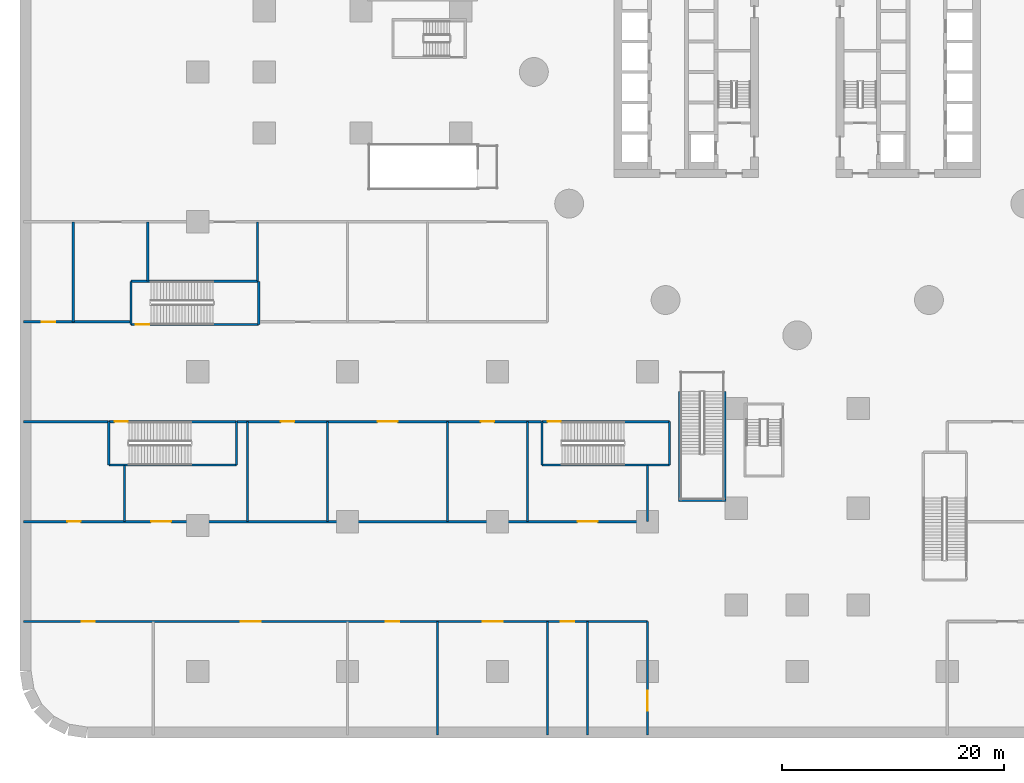
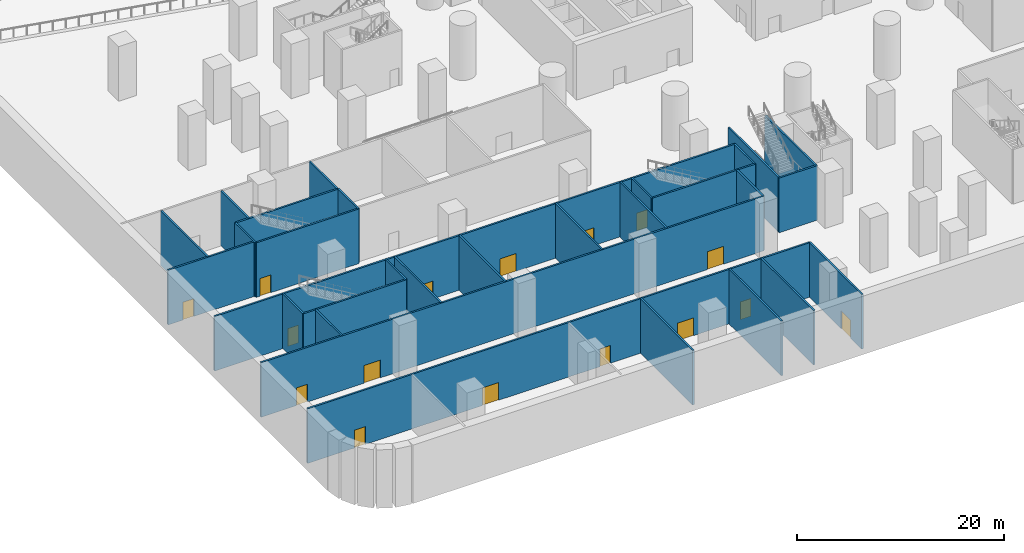
# One storey, part 3 of 37: 33 walls, 16 doors, 16 openings.
"""IFC4 building model written with IfcOpenShell, lengths in metres."""

from ifc_helpers import new_model, si_unit, direction, frame, frame_2d, origin, place, context, subcontext, project, spatial, rectangle, extrude, material, layer, layer_set, type_object, element, fill, save


model = new_model("IFC4")

# Units and contexts
model_context = context("Model", 3, precision=1e-05, world=origin(), true_north=direction((0.0, 1.0)))
body_context = subcontext(model_context, "Body", "Model", "MODEL_VIEW")
ifc_project = project(units=[si_unit("LENGTHUNIT", "METRE"), si_unit("AREAUNIT", "SQUARE_METRE"), si_unit("VOLUMEUNIT", "CUBIC_METRE"), si_unit("PLANEANGLEUNIT", "RADIAN"), si_unit("MASSUNIT", "GRAM", prefix="KILO")], contexts=[model_context])

# Site, building, storey
site_placement = place(None, origin())
site = spatial("IfcSite", under=ifc_project, at=site_placement, CompositionType="ELEMENT")
building_placement = place(site_placement, origin())
building = spatial("IfcBuilding", under=site, at=building_placement, Name="Tamarind Cross Interchange Tower", CompositionType="ELEMENT")
storey_placement = place(building_placement, frame((0.0, 0.0, -7.0)))
storey = spatial("IfcBuildingStorey", under=building, at=storey_placement, Name="B1", CompositionType="ELEMENT", Elevation=-7.0)

# Wall, openings, doors
ifc_material_1 = material(Name="Masonry partition, fire-rated", Category="masonry")
ifc_layer_1 = layer(ifc_material_1, 0.199951171875)
ifc_layer_set_1 = layer_set([ifc_layer_1], Name="Masonry partition, fire-rated")
wall_type_1 = type_object("IfcWallType", Name="Fire partition 200 EI 120", PredefinedType="PARTITIONING", material=ifc_layer_set_1)
wall_1_placement = place(storey_placement, frame((-69.698974609375, -49.5, 0.0), z_axis=(0.0, 0.0, 1.0), x_axis=(1.0, 0.0, 0.0)))
wall_1 = element("IfcWall", 1, at=wall_1_placement, inside=storey, type_object=wall_type_1, Name="B1 partition 61", PredefinedType="PARTITIONING", context=body_context, shape_type="SweptSolid", body=[
    extrude(rectangle(XDim=56.198974609375, YDim=0.199951171875, at=frame_2d((28.099609375, 0.0))), origin(), (0.0, 0.0, 1.0), 6.449951171875),
])
opening_1_placement = place(wall_1_placement, frame((48.408935546875, 0.0, 0.0)))
opening_1 = element("IfcOpeningElement", 2, at=opening_1_placement, cuts=wall_1, Name="Opening DB1-48", PredefinedType="OPENING", context=body_context, shape_type="SweptSolid", body=[
    extrude(rectangle(XDim=1.199951171875, YDim=2.10009765625, at=frame_2d((0.60009765625, 1.050048828125))), frame((0.0, 0.10986328125, 0.0), z_axis=(0.0, -1.0, 0.0), x_axis=(1.0, 0.0, 0.0)), (0.0, 0.0, 1.0), 0.219970703125),
])
opening_2_placement = place(wall_1_placement, frame((41.35888671875, 0.0, 0.0)))
opening_2 = element("IfcOpeningElement", 3, at=opening_2_placement, cuts=wall_1, Name="Opening DB1-49", PredefinedType="OPENING", context=body_context, shape_type="SweptSolid", body=[
    extrude(rectangle(XDim=1.800048828125, YDim=2.10009765625, at=frame_2d((0.89990234375, 1.050048828125))), frame((0.0, 0.10986328125, 0.0), z_axis=(0.0, -1.0, 0.0), x_axis=(1.0, 0.0, 0.0)), (0.0, 0.0, 1.0), 0.219970703125),
])
opening_3_placement = place(wall_1_placement, frame((32.658935546875, 0.0, 0.0)))
opening_3 = element("IfcOpeningElement", 4, at=opening_3_placement, cuts=wall_1, Name="Opening DB1-50", PredefinedType="OPENING", context=body_context, shape_type="SweptSolid", body=[
    extrude(rectangle(XDim=1.199951171875, YDim=2.10009765625, at=frame_2d((0.60009765625, 1.050048828125))), frame((0.0, 0.10986328125, 0.0), z_axis=(0.0, -1.0, 0.0), x_axis=(1.0, 0.0, 0.0)), (0.0, 0.0, 1.0), 0.219970703125),
])
opening_4_placement = place(wall_1_placement, frame((19.55908203125, 0.0, 0.0)))
opening_4 = element("IfcOpeningElement", 5, at=opening_4_placement, cuts=wall_1, Name="Opening DB1-51", PredefinedType="OPENING", context=body_context, shape_type="SweptSolid", body=[
    extrude(rectangle(XDim=1.800048828125, YDim=2.10009765625, at=frame_2d((0.89990234375, 1.050048828125))), frame((0.0, 0.10986328125, 0.0), z_axis=(0.0, -1.0, 0.0), x_axis=(1.0, 0.0, 0.0)), (0.0, 0.0, 1.0), 0.219970703125),
])
opening_5_placement = place(wall_1_placement, frame((5.239013671875, 0.0, 0.0)))
opening_5 = element("IfcOpeningElement", 6, at=opening_5_placement, cuts=wall_1, Name="Opening DB1-52", PredefinedType="OPENING", context=body_context, shape_type="SweptSolid", body=[
    extrude(rectangle(XDim=1.199951171875, YDim=2.10009765625, at=frame_2d((0.60009765625, 1.050048828125))), frame((0.0, 0.10986328125, 0.0), z_axis=(0.0, -1.0, 0.0), x_axis=(1.0, 0.0, 0.0)), (0.0, 0.0, 1.0), 0.219970703125),
])
ifc_material_2 = material(Name="Steel, fire-resisting", Category="steel")
door_type_1 = type_object("IfcDoorType", Name="Podium door 1200 x 2100 FD60", OperationType="SINGLE_SWING_LEFT", PredefinedType="DOOR", material=ifc_material_2)
door_1_placement = place(opening_1_placement, origin())
door_1 = element("IfcDoor", 7, at=door_1_placement, inside=storey, type_object=door_type_1, Name="B1 door Tenant Store B130", OperationType="SINGLE_SWING_RIGHT", OverallHeight=2.10009765625, OverallWidth=1.199951171875, PredefinedType="DOOR", context=body_context, shape_type="SweptSolid", body=[
    extrude(rectangle(XDim=1.199951171875, YDim=2.10009765625, at=frame_2d((0.60009765625, 1.050048828125))), frame((0.0, 0.02490234375, 0.0), z_axis=(0.0, -1.0, 0.0), x_axis=(1.0, 0.0, 0.0)), (0.0, 0.0, 1.0), 0.050048828125),
])
fill(opening_1, door_1)
door_2_placement = place(opening_3_placement, origin())
door_2 = element("IfcDoor", 8, at=door_2_placement, inside=storey, type_object=door_type_1, Name="B1 door Tenant Store B132", OperationType="SINGLE_SWING_RIGHT", OverallHeight=2.10009765625, OverallWidth=1.199951171875, PredefinedType="DOOR", context=body_context, shape_type="SweptSolid", body=[
    extrude(rectangle(XDim=1.199951171875, YDim=2.10009765625, at=frame_2d((0.60009765625, 1.050048828125))), frame((0.0, 0.02490234375, 0.0), z_axis=(0.0, -1.0, 0.0), x_axis=(1.0, 0.0, 0.0)), (0.0, 0.0, 1.0), 0.050048828125),
])
fill(opening_3, door_2)
door_3_placement = place(opening_5_placement, origin())
door_3 = element("IfcDoor", 9, at=door_3_placement, inside=storey, type_object=door_type_1, Name="B1 door Tenant Store B134", OperationType="SINGLE_SWING_RIGHT", OverallHeight=2.10009765625, OverallWidth=1.199951171875, PredefinedType="DOOR", context=body_context, shape_type="SweptSolid", body=[
    extrude(rectangle(XDim=1.199951171875, YDim=2.10009765625, at=frame_2d((0.60009765625, 1.050048828125))), frame((0.0, 0.02490234375, 0.0), z_axis=(0.0, -1.0, 0.0), x_axis=(1.0, 0.0, 0.0)), (0.0, 0.0, 1.0), 0.050048828125),
])
fill(opening_5, door_3)
door_type_2 = type_object("IfcDoorType", Name="Podium door 1800 x 2100 FD60", OperationType="SINGLE_SWING_LEFT", PredefinedType="DOOR", material=ifc_material_2)
door_4_placement = place(opening_2_placement, origin())
door_4 = element("IfcDoor", 10, at=door_4_placement, inside=storey, type_object=door_type_2, Name="B1 door Bakery B131", OperationType="SINGLE_SWING_LEFT", OverallHeight=2.10009765625, OverallWidth=1.800048828125, PredefinedType="DOOR", context=body_context, shape_type="SweptSolid", body=[
    extrude(rectangle(XDim=1.800048828125, YDim=2.10009765625, at=frame_2d((0.89990234375, 1.050048828125))), frame((0.0, 0.02490234375, 0.0), z_axis=(0.0, -1.0, 0.0), x_axis=(1.0, 0.0, 0.0)), (0.0, 0.0, 1.0), 0.050048828125),
])
fill(opening_2, door_4)
door_5_placement = place(opening_4_placement, origin())
door_5 = element("IfcDoor", 11, at=door_5_placement, inside=storey, type_object=door_type_2, Name="B1 door Phone Shop B133", OperationType="SINGLE_SWING_LEFT", OverallHeight=2.10009765625, OverallWidth=1.800048828125, PredefinedType="DOOR", context=body_context, shape_type="SweptSolid", body=[
    extrude(rectangle(XDim=1.800048828125, YDim=2.10009765625, at=frame_2d((0.89990234375, 1.050048828125))), frame((0.0, 0.02490234375, 0.0), z_axis=(0.0, -1.0, 0.0), x_axis=(1.0, 0.0, 0.0)), (0.0, 0.0, 1.0), 0.050048828125),
])
fill(opening_4, door_5)

wall_2_placement = place(storey_placement, frame((-69.698974609375, -40.5, 0.0), z_axis=(0.0, 0.0, 1.0), x_axis=(1.0, 0.0, 0.0)))
wall_2 = element("IfcWall", 12, at=wall_2_placement, inside=storey, type_object=wall_type_1, Name="B1 partition 62", PredefinedType="PARTITIONING", context=body_context, shape_type="SweptSolid", body=[
    extrude(rectangle(XDim=56.198974609375, YDim=0.199951171875, at=frame_2d((28.099609375, 0.0))), origin(), (0.0, 0.0, 1.0), 6.449951171875),
])
opening_6_placement = place(wall_2_placement, frame((49.908935546875, 0.0, 0.0)))
opening_6 = element("IfcOpeningElement", 13, at=opening_6_placement, cuts=wall_2, Name="Opening DB1-41", PredefinedType="OPENING", context=body_context, shape_type="SweptSolid", body=[
    extrude(rectangle(XDim=1.800048828125, YDim=2.10009765625, at=frame_2d((0.89990234375, 1.050048828125))), frame((0.0, 0.10986328125, 0.0), z_axis=(0.0, -1.0, 0.0), x_axis=(1.0, 0.0, 0.0)), (0.0, 0.0, 1.0), 0.219970703125),
])
opening_7_placement = place(wall_2_placement, frame((11.514892578125, 0.0, 0.0)))
opening_7 = element("IfcOpeningElement", 14, at=opening_7_placement, cuts=wall_2, Name="Opening DB1-45", PredefinedType="OPENING", context=body_context, shape_type="SweptSolid", body=[
    extrude(rectangle(XDim=1.800048828125, YDim=2.10009765625, at=frame_2d((0.89990234375, 1.050048828125))), frame((0.0, 0.10986328125, 0.0), z_axis=(0.0, -1.0, 0.0), x_axis=(1.0, 0.0, 0.0)), (0.0, 0.0, 1.0), 0.219970703125),
])
opening_8_placement = place(wall_2_placement, frame((3.958984375, 0.0, 0.0)))
opening_8 = element("IfcOpeningElement", 15, at=opening_8_placement, cuts=wall_2, Name="Opening DB1-46", PredefinedType="OPENING", context=body_context, shape_type="SweptSolid", body=[
    extrude(rectangle(XDim=1.199951171875, YDim=2.10009765625, at=frame_2d((0.60009765625, 1.050048828125))), frame((0.0, 0.10986328125, 0.0), z_axis=(0.0, -1.0, 0.0), x_axis=(1.0, 0.0, 0.0)), (0.0, 0.0, 1.0), 0.219970703125),
])
door_6_placement = place(opening_8_placement, origin())
door_6 = element("IfcDoor", 16, at=door_6_placement, inside=storey, type_object=door_type_1, Name="B1 door Tenant Store B128", OperationType="SINGLE_SWING_RIGHT", OverallHeight=2.10009765625, OverallWidth=1.199951171875, PredefinedType="DOOR", context=body_context, shape_type="SweptSolid", body=[
    extrude(rectangle(XDim=1.199951171875, YDim=2.10009765625, at=frame_2d((0.60009765625, 1.050048828125))), frame((0.0, 0.02490234375, 0.0), z_axis=(0.0, -1.0, 0.0), x_axis=(1.0, 0.0, 0.0)), (0.0, 0.0, 1.0), 0.050048828125),
])
fill(opening_8, door_6)
door_7_placement = place(opening_6_placement, origin())
door_7 = element("IfcDoor", 17, at=door_7_placement, inside=storey, type_object=door_type_2, Name="B1 door Ticket Agency B123", OperationType="SINGLE_SWING_LEFT", OverallHeight=2.10009765625, OverallWidth=1.800048828125, PredefinedType="DOOR", context=body_context, shape_type="SweptSolid", body=[
    extrude(rectangle(XDim=1.800048828125, YDim=2.10009765625, at=frame_2d((0.89990234375, 1.050048828125))), frame((0.0, 0.02490234375, 0.0), z_axis=(0.0, -1.0, 0.0), x_axis=(1.0, 0.0, 0.0)), (0.0, 0.0, 1.0), 0.050048828125),
])
fill(opening_6, door_7)
door_8_placement = place(opening_7_placement, origin())
door_8 = element("IfcDoor", 18, at=door_8_placement, inside=storey, type_object=door_type_2, Name="B1 door Coffee Bar B127", OperationType="SINGLE_SWING_LEFT", OverallHeight=2.10009765625, OverallWidth=1.800048828125, PredefinedType="DOOR", context=body_context, shape_type="SweptSolid", body=[
    extrude(rectangle(XDim=1.800048828125, YDim=2.10009765625, at=frame_2d((0.89990234375, 1.050048828125))), frame((0.0, 0.02490234375, 0.0), z_axis=(0.0, -1.0, 0.0), x_axis=(1.0, 0.0, 0.0)), (0.0, 0.0, 1.0), 0.050048828125),
])
fill(opening_7, door_8)

# Wall
wall_3_placement = place(storey_placement, frame((-69.698974609375, -31.5, 0.0), z_axis=(0.0, 0.0, 1.0), x_axis=(1.0, 0.0, 0.0)))
element("IfcWall", 19, at=wall_3_placement, inside=storey, type_object=wall_type_1, Name="B1 partition 63", PredefinedType="PARTITIONING", context=body_context, shape_type="SweptSolid", body=[
    extrude(rectangle(XDim=7.6689453125, YDim=0.199951171875, at=frame_2d((3.83447265625, 0.0))), origin(), (0.0, 0.0, 1.0), 6.449951171875),
])

# Wall, opening, door
wall_4_placement = place(storey_placement, frame((-69.698974609375, -22.5, 0.0), z_axis=(0.0, 0.0, 1.0), x_axis=(1.0, 0.0, 0.0)))
wall_4 = element("IfcWall", 20, at=wall_4_placement, inside=storey, type_object=wall_type_1, Name="B1 partition 64", PredefinedType="PARTITIONING", context=body_context, shape_type="SweptSolid", body=[
    extrude(rectangle(XDim=9.6689453125, YDim=0.199951171875, at=frame_2d((4.83447265625, 0.0))), origin(), (0.0, 0.0, 1.0), 6.449951171875),
])
opening_9_placement = place(wall_4_placement, frame((1.658935546875, 0.0, 0.0)))
opening_9 = element("IfcOpeningElement", 21, at=opening_9_placement, cuts=wall_4, Name="Opening DB1-40", PredefinedType="OPENING", context=body_context, shape_type="SweptSolid", body=[
    extrude(rectangle(XDim=1.199951171875, YDim=2.10009765625, at=frame_2d((0.60009765625, 1.050048828125))), frame((0.0, 0.10986328125, 0.0), z_axis=(0.0, -1.0, 0.0), x_axis=(1.0, 0.0, 0.0)), (0.0, 0.0, 1.0), 0.219970703125),
])
door_9_placement = place(opening_9_placement, origin())
door_9 = element("IfcDoor", 22, at=door_9_placement, inside=storey, type_object=door_type_1, Name="B1 door Tenant Store B122", OperationType="SINGLE_SWING_RIGHT", OverallHeight=2.10009765625, OverallWidth=1.199951171875, PredefinedType="DOOR", context=body_context, shape_type="SweptSolid", body=[
    extrude(rectangle(XDim=1.199951171875, YDim=2.10009765625, at=frame_2d((0.60009765625, 1.050048828125))), frame((0.0, 0.02490234375, 0.0), z_axis=(0.0, -1.0, 0.0), x_axis=(1.0, 0.0, 0.0)), (0.0, 0.0, 1.0), 0.050048828125),
])
fill(opening_9, door_9)

# Walls
wall_5_placement = place(storey_placement, frame((-65.199951171875, -22.5, 0.0), z_axis=(0.0, 0.0, 1.0), x_axis=(0.0, 1.0, 0.0)))
element("IfcWall", 23, at=wall_5_placement, inside=storey, type_object=wall_type_1, Name="B1 partition 66", PredefinedType="PARTITIONING", context=body_context, shape_type="SweptSolid", body=[
    extrude(rectangle(XDim=9.0, YDim=0.199951171875, at=frame_2d((4.5, 0.0))), origin(), (0.0, 0.0, 1.0), 6.449951171875),
])
wall_6_placement = place(storey_placement, frame((-60.60009765625, -40.5, 0.0), z_axis=(0.0, 0.0, 1.0), x_axis=(0.0, 1.0, 0.0)))
element("IfcWall", 24, at=wall_6_placement, inside=storey, type_object=wall_type_1, Name="B1 partition 67", PredefinedType="PARTITIONING", context=body_context, shape_type="SweptSolid", body=[
    extrude(rectangle(XDim=5.070068359375, YDim=0.199951171875, at=frame_2d((2.53515625, 0.0))), origin(), (0.0, 0.0, 1.0), 6.449951171875),
])
wall_7_placement = place(storey_placement, frame((-58.5, -18.820068359375, 0.0), z_axis=(0.0, 0.0, 1.0), x_axis=(0.0, 1.0, 0.0)))
element("IfcWall", 25, at=wall_7_placement, inside=storey, type_object=wall_type_1, Name="B1 partition 68", PredefinedType="PARTITIONING", context=body_context, shape_type="SweptSolid", body=[
    extrude(rectangle(XDim=5.320068359375, YDim=0.199951171875, at=frame_2d((2.66015625, 0.0))), origin(), (0.0, 0.0, 1.0), 6.449951171875),
])

# Wall, openings, doors
wall_8_placement = place(storey_placement, frame((-50.469970703125, -31.5, 0.0), z_axis=(0.0, 0.0, 1.0), x_axis=(1.0, 0.0, 0.0)))
wall_8 = element("IfcWall", 26, at=wall_8_placement, inside=storey, type_object=wall_type_1, Name="B1 partition 70", PredefinedType="PARTITIONING", context=body_context, shape_type="SweptSolid", body=[
    extrude(rectangle(XDim=27.43994140625, YDim=0.199951171875, at=frame_2d((13.719970703125, 0.0))), origin(), (0.0, 0.0, 1.0), 6.449951171875),
])
opening_10_placement = place(wall_8_placement, frame((21.969970703125, 0.0, 0.0)))
opening_10 = element("IfcOpeningElement", 27, at=opening_10_placement, cuts=wall_8, Name="Opening DB1-42", PredefinedType="OPENING", context=body_context, shape_type="SweptSolid", body=[
    extrude(rectangle(XDim=1.199951171875, YDim=2.10009765625, at=frame_2d((0.60009765625, 1.050048828125))), frame((0.0, 0.10986328125, 0.0), z_axis=(0.0, -1.0, 0.0), x_axis=(1.0, 0.0, 0.0)), (0.0, 0.0, 1.0), 0.219970703125),
])
opening_11_placement = place(wall_8_placement, frame((12.669921875, 0.0, 0.0)))
opening_11 = element("IfcOpeningElement", 28, at=opening_11_placement, cuts=wall_8, Name="Opening DB1-43", PredefinedType="OPENING", context=body_context, shape_type="SweptSolid", body=[
    extrude(rectangle(XDim=1.800048828125, YDim=2.10009765625, at=frame_2d((0.89990234375, 1.050048828125))), frame((0.0, 0.10986328125, 0.0), z_axis=(0.0, -1.0, 0.0), x_axis=(1.0, 0.0, 0.0)), (0.0, 0.0, 1.0), 0.219970703125),
])
opening_12_placement = place(wall_8_placement, frame((3.969970703125, 0.0, 0.0)))
opening_12 = element("IfcOpeningElement", 29, at=opening_12_placement, cuts=wall_8, Name="Opening DB1-44", PredefinedType="OPENING", context=body_context, shape_type="SweptSolid", body=[
    extrude(rectangle(XDim=1.199951171875, YDim=2.10009765625, at=frame_2d((0.60009765625, 1.050048828125))), frame((0.0, 0.10986328125, 0.0), z_axis=(0.0, -1.0, 0.0), x_axis=(1.0, 0.0, 0.0)), (0.0, 0.0, 1.0), 0.219970703125),
])
door_10_placement = place(opening_10_placement, origin())
door_10 = element("IfcDoor", 30, at=door_10_placement, inside=storey, type_object=door_type_1, Name="B1 door Tenant Store B124", OperationType="SINGLE_SWING_RIGHT", OverallHeight=2.10009765625, OverallWidth=1.199951171875, PredefinedType="DOOR", context=body_context, shape_type="SweptSolid", body=[
    extrude(rectangle(XDim=1.199951171875, YDim=2.10009765625, at=frame_2d((0.60009765625, 1.050048828125))), frame((0.0, 0.02490234375, 0.0), z_axis=(0.0, -1.0, 0.0), x_axis=(1.0, 0.0, 0.0)), (0.0, 0.0, 1.0), 0.050048828125),
])
fill(opening_10, door_10)
door_11_placement = place(opening_12_placement, origin())
door_11 = element("IfcDoor", 31, at=door_11_placement, inside=storey, type_object=door_type_1, Name="B1 door Tenant Store B126", OperationType="SINGLE_SWING_RIGHT", OverallHeight=2.10009765625, OverallWidth=1.199951171875, PredefinedType="DOOR", context=body_context, shape_type="SweptSolid", body=[
    extrude(rectangle(XDim=1.199951171875, YDim=2.10009765625, at=frame_2d((0.60009765625, 1.050048828125))), frame((0.0, 0.02490234375, 0.0), z_axis=(0.0, -1.0, 0.0), x_axis=(1.0, 0.0, 0.0)), (0.0, 0.0, 1.0), 0.050048828125),
])
fill(opening_12, door_11)
door_12_placement = place(opening_11_placement, origin())
door_12 = element("IfcDoor", 32, at=door_12_placement, inside=storey, type_object=door_type_2, Name="B1 door Convenience Store B125", OperationType="SINGLE_SWING_LEFT", OverallHeight=2.10009765625, OverallWidth=1.800048828125, PredefinedType="DOOR", context=body_context, shape_type="SweptSolid", body=[
    extrude(rectangle(XDim=1.800048828125, YDim=2.10009765625, at=frame_2d((0.89990234375, 1.050048828125))), frame((0.0, 0.02490234375, 0.0), z_axis=(0.0, -1.0, 0.0), x_axis=(1.0, 0.0, 0.0)), (0.0, 0.0, 1.0), 0.050048828125),
])
fill(opening_11, door_12)

# Walls
wall_9_placement = place(storey_placement, frame((-49.5, -40.5, 0.0), z_axis=(0.0, 0.0, 1.0), x_axis=(0.0, 1.0, 0.0)))
element("IfcWall", 33, at=wall_9_placement, inside=storey, type_object=wall_type_1, Name="B1 partition 71", PredefinedType="PARTITIONING", context=body_context, shape_type="SweptSolid", body=[
    extrude(rectangle(XDim=9.0, YDim=0.199951171875, at=frame_2d((4.5, 0.0))), origin(), (0.0, 0.0, 1.0), 6.449951171875),
])
wall_10_placement = place(storey_placement, frame((-48.60009765625, -18.820068359375, 0.0), z_axis=(0.0, 0.0, 1.0), x_axis=(0.0, 1.0, 0.0)))
element("IfcWall", 34, at=wall_10_placement, inside=storey, type_object=wall_type_1, Name="B1 partition 72", PredefinedType="PARTITIONING", context=body_context, shape_type="SweptSolid", body=[
    extrude(rectangle(XDim=5.320068359375, YDim=0.199951171875, at=frame_2d((2.66015625, 0.0))), origin(), (0.0, 0.0, 1.0), 6.449951171875),
])
wall_11_placement = place(storey_placement, frame((-42.300048828125, -40.5, 0.0), z_axis=(0.0, 0.0, 1.0), x_axis=(0.0, 1.0, 0.0)))
element("IfcWall", 35, at=wall_11_placement, inside=storey, type_object=wall_type_1, Name="B1 partition 74", PredefinedType="PARTITIONING", context=body_context, shape_type="SweptSolid", body=[
    extrude(rectangle(XDim=9.0, YDim=0.199951171875, at=frame_2d((4.5, 0.0))), origin(), (0.0, 0.0, 1.0), 6.449951171875),
])
wall_12_placement = place(storey_placement, frame((-32.39990234375, -59.698974609375, 0.0), z_axis=(0.0, 0.0, 1.0), x_axis=(0.0, 1.0, 0.0)))
element("IfcWall", 36, at=wall_12_placement, inside=storey, type_object=wall_type_1, Name="B1 partition 79", PredefinedType="PARTITIONING", context=body_context, shape_type="SweptSolid", body=[
    extrude(rectangle(XDim=10.198974609375, YDim=0.199951171875, at=frame_2d((5.099609375, 0.0))), origin(), (0.0, 0.0, 1.0), 6.449951171875),
])
wall_13_placement = place(storey_placement, frame((-31.5, -40.5, 0.0), z_axis=(0.0, 0.0, 1.0), x_axis=(0.0, 1.0, 0.0)))
element("IfcWall", 37, at=wall_13_placement, inside=storey, type_object=wall_type_1, Name="B1 partition 80", PredefinedType="PARTITIONING", context=body_context, shape_type="SweptSolid", body=[
    extrude(rectangle(XDim=9.0, YDim=0.199951171875, at=frame_2d((4.5, 0.0))), origin(), (0.0, 0.0, 1.0), 6.449951171875),
])
wall_14_placement = place(storey_placement, frame((-13.5, -40.5, 0.0), z_axis=(0.0, 0.0, 1.0), x_axis=(0.0, 1.0, 0.0)))
element("IfcWall", 38, at=wall_14_placement, inside=storey, type_object=wall_type_1, Name="B1 partition 81", PredefinedType="PARTITIONING", context=body_context, shape_type="SweptSolid", body=[
    extrude(rectangle(XDim=5.070068359375, YDim=0.199951171875, at=frame_2d((2.53515625, 0.0))), origin(), (0.0, 0.0, 1.0), 6.449951171875),
])
wall_15_placement = place(storey_placement, frame((-24.300048828125, -40.5, 0.0), z_axis=(0.0, 0.0, 1.0), x_axis=(0.0, 1.0, 0.0)))
element("IfcWall", 39, at=wall_15_placement, inside=storey, type_object=wall_type_1, Name="B1 partition 82", PredefinedType="PARTITIONING", context=body_context, shape_type="SweptSolid", body=[
    extrude(rectangle(XDim=9.0, YDim=0.199951171875, at=frame_2d((4.5, 0.0))), origin(), (0.0, 0.0, 1.0), 6.449951171875),
])
for number, where, z_axis, x_axis, name in (
    (40, (-22.5, -59.698974609375, 0.0), (0.0, 0.0, 1.0), (0.0, 1.0, 0.0), "B1 partition 83"),
    (41, (-18.89990234375, -59.698974609375, 0.0), (0.0, 0.0, 1.0), (0.0, 1.0, 0.0), "B1 partition 84"),
):
    element("IfcWall", number, at=place(storey_placement, frame(where, z_axis=z_axis, x_axis=x_axis)), inside=storey, type_object=wall_type_1, Name=name, PredefinedType="PARTITIONING", context=body_context, shape_type="SweptSolid", body=[
        extrude(rectangle(XDim=10.198974609375, YDim=0.199951171875, at=frame_2d((5.099609375, 0.0))), origin(), (0.0, 0.0, 1.0), 6.449951171875),
    ])

# Wall, opening, door
wall_16_placement = place(storey_placement, frame((-13.5, -59.698974609375, 0.0), z_axis=(0.0, 0.0, 1.0), x_axis=(0.0, 1.0, 0.0)))
wall_16 = element("IfcWall", 42, at=wall_16_placement, inside=storey, type_object=wall_type_1, Name="B1 partition 85", PredefinedType="PARTITIONING", context=body_context, shape_type="SweptSolid", body=[
    extrude(rectangle(XDim=10.198974609375, YDim=0.199951171875, at=frame_2d((5.099609375, 0.0))), origin(), (0.0, 0.0, 1.0), 6.449951171875),
])
opening_13_placement = place(wall_16_placement, frame((2.15087890625, 0.0, 0.0)))
opening_13 = element("IfcOpeningElement", 43, at=opening_13_placement, cuts=wall_16, Name="Opening DB1-47", PredefinedType="OPENING", context=body_context, shape_type="SweptSolid", body=[
    extrude(rectangle(XDim=1.800048828125, YDim=2.10009765625, at=frame_2d((0.89990234375, 1.050048828125))), frame((0.0, 0.10986328125, 0.0), z_axis=(0.0, -1.0, 0.0), x_axis=(1.0, 0.0, 0.0)), (0.0, 0.0, 1.0), 0.219970703125),
])
door_13_placement = place(opening_13_placement, origin())
door_13 = element("IfcDoor", 44, at=door_13_placement, inside=storey, type_object=door_type_2, Name="B1 door Pharmacy B129", OperationType="SINGLE_SWING_LEFT", OverallHeight=2.10009765625, OverallWidth=1.800048828125, PredefinedType="DOOR", context=body_context, shape_type="SweptSolid", body=[
    extrude(rectangle(XDim=1.800048828125, YDim=2.10009765625, at=frame_2d((0.89990234375, 1.050048828125))), frame((0.0, 0.02490234375, 0.0), z_axis=(0.0, -1.0, 0.0), x_axis=(1.0, 0.0, 0.0)), (0.0, 0.0, 1.0), 0.050048828125),
])
fill(opening_13, door_13)

# Walls
ifc_material_3 = material(Name="Concrete C40", Category="concrete")
ifc_layer_2 = layer(ifc_material_3, 0.199951171875)
ifc_layer_set_2 = layer_set([ifc_layer_2], Name="Concrete C40")
wall_type_2 = type_object("IfcWallType", Name="Stair shaft wall 200", PredefinedType="SOLIDWALL", material=ifc_layer_set_2)
for number, where, z_axis, x_axis, name in (
    (45, (-10.60009765625, -28.800048828125, 0.0), (0.0, 0.0, 1.0), (0.0, -1.0, 0.0), "public stair PS-S shaft wall L"),
    (46, (-6.5, -28.800048828125, 0.0), (0.0, 0.0, 1.0), (0.0, -1.0, 0.0), "public stair PS-S shaft wall R"),
):
    element("IfcWall", number, at=place(storey_placement, frame(where, z_axis=z_axis, x_axis=x_axis)), inside=storey, type_object=wall_type_2, Name=name, PredefinedType="SOLIDWALL", context=body_context, shape_type="SweptSolid", body=[
        extrude(rectangle(XDim=9.699951171875, YDim=0.199951171875, at=frame_2d((4.85009765625, 0.0))), origin(), (0.0, 0.0, 1.0), 6.449951171875),
    ])
wall_17_placement = place(storey_placement, frame((-10.699951171875, -38.60009765625, 0.0), z_axis=(0.0, 0.0, 1.0), x_axis=(1.0, 0.0, 0.0)))
element("IfcWall", 47, at=wall_17_placement, inside=storey, type_object=wall_type_2, Name="public stair PS-S shaft wall F", PredefinedType="SOLIDWALL", context=body_context, shape_type="SweptSolid", body=[
    extrude(rectangle(XDim=4.300048828125, YDim=0.199951171875, at=frame_2d((2.14990234375, 0.0))), origin(), (0.0, 0.0, 1.0), 6.449951171875),
])

# Wall, opening, door
ifc_layer_3 = layer(ifc_material_3, 0.199951171875)
ifc_layer_set_3 = layer_set([ifc_layer_3], Name="Concrete C40")
wall_type_3 = type_object("IfcWallType", Name="Stair shaft wall 200 EI 180", PredefinedType="PARTITIONING", material=ifc_layer_set_3)
wall_18_placement = place(storey_placement, frame((-62.0, -31.5, 0.0), z_axis=(0.0, 0.0, 1.0), x_axis=(1.0, 0.0, 0.0)))
wall_18 = element("IfcWall", 48, at=wall_18_placement, inside=storey, type_object=wall_type_3, Name="B1 stair shaft wall 5", PredefinedType="PARTITIONING", context=body_context, shape_type="SweptSolid", body=[
    extrude(rectangle(XDim=11.5, YDim=0.199951171875, at=frame_2d((5.75, 0.0))), origin(), (0.0, 0.0, 1.0), 6.449951171875),
])
opening_14_placement = place(wall_18_placement, frame((0.52001953125, 0.0, 0.0)))
opening_14 = element("IfcOpeningElement", 49, at=opening_14_placement, cuts=wall_18, Name="Opening DB1-09", PredefinedType="OPENING", context=body_context, shape_type="SweptSolid", body=[
    extrude(rectangle(XDim=1.199951171875, YDim=2.10009765625, at=frame_2d((0.60009765625, 1.050048828125))), frame((0.0, 0.10986328125, 0.0), z_axis=(0.0, -1.0, 0.0), x_axis=(1.0, 0.0, 0.0)), (0.0, 0.0, 1.0), 0.219970703125),
])
door_type_3 = type_object("IfcDoorType", Name="Podium door 1200 x 2100 FD90", OperationType="SINGLE_SWING_LEFT", PredefinedType="DOOR", material=ifc_material_2)
door_14_placement = place(opening_14_placement, origin())
door_14 = element("IfcDoor", 50, at=door_14_placement, inside=storey, type_object=door_type_3, Name="B1 door Exit Stair PX7", OperationType="SINGLE_SWING_LEFT", OverallHeight=2.10009765625, OverallWidth=1.199951171875, PredefinedType="DOOR", context=body_context, shape_type="SweptSolid", body=[
    extrude(rectangle(XDim=1.199951171875, YDim=2.10009765625, at=frame_2d((0.60009765625, 1.050048828125))), frame((0.0, 0.02490234375, 0.0), z_axis=(0.0, -1.0, 0.0), x_axis=(1.0, 0.0, 0.0)), (0.0, 0.0, 1.0), 0.050048828125),
])
fill(opening_14, door_14)

# Walls
wall_19_placement = place(storey_placement, frame((-50.5, -35.39990234375, 0.0), z_axis=(0.0, 0.0, 1.0), x_axis=(0.0, 1.0, 0.0)))
element("IfcWall", 51, at=wall_19_placement, inside=storey, type_object=wall_type_3, Name="B1 stair shaft wall 6", PredefinedType="PARTITIONING", context=body_context, shape_type="SweptSolid", body=[
    extrude(rectangle(XDim=3.89990234375, YDim=0.199951171875, at=frame_2d((1.949951171875, 0.0))), origin(), (0.0, 0.0, 1.0), 6.449951171875),
])
wall_20_placement = place(storey_placement, frame((-62.0, -35.39990234375, 0.0), z_axis=(0.0, 0.0, 1.0), x_axis=(1.0, 0.0, 0.0)))
element("IfcWall", 52, at=wall_20_placement, inside=storey, type_object=wall_type_3, Name="B1 stair shaft wall 7", PredefinedType="PARTITIONING", context=body_context, shape_type="SweptSolid", body=[
    extrude(rectangle(XDim=11.5, YDim=0.199951171875, at=frame_2d((5.75, 0.0))), origin(), (0.0, 0.0, 1.0), 6.449951171875),
])
wall_21_placement = place(storey_placement, frame((-62.0, -35.39990234375, 0.0), z_axis=(0.0, 0.0, 1.0), x_axis=(0.0, 1.0, 0.0)))
element("IfcWall", 53, at=wall_21_placement, inside=storey, type_object=wall_type_3, Name="B1 stair shaft wall 8", PredefinedType="PARTITIONING", context=body_context, shape_type="SweptSolid", body=[
    extrude(rectangle(XDim=3.89990234375, YDim=0.199951171875, at=frame_2d((1.949951171875, 0.0))), origin(), (0.0, 0.0, 1.0), 6.449951171875),
])
wall_22_placement = place(storey_placement, frame((-60.0, -18.85009765625, 0.0), z_axis=(0.0, 0.0, 1.0), x_axis=(1.0, 0.0, 0.0)))
element("IfcWall", 54, at=wall_22_placement, inside=storey, type_object=wall_type_3, Name="B1 stair shaft wall 9", PredefinedType="PARTITIONING", context=body_context, shape_type="SweptSolid", body=[
    extrude(rectangle(XDim=11.5, YDim=0.199951171875, at=frame_2d((5.75, 0.0))), origin(), (0.0, 0.0, 1.0), 6.449951171875),
])
wall_23_placement = place(storey_placement, frame((-48.5, -22.75, 0.0), z_axis=(0.0, 0.0, 1.0), x_axis=(0.0, 1.0, 0.0)))
element("IfcWall", 55, at=wall_23_placement, inside=storey, type_object=wall_type_3, Name="B1 stair shaft wall 10", PredefinedType="PARTITIONING", context=body_context, shape_type="SweptSolid", body=[
    extrude(rectangle(XDim=3.89990234375, YDim=0.199951171875, at=frame_2d((1.949951171875, 0.0))), origin(), (0.0, 0.0, 1.0), 6.449951171875),
])

# Wall, opening, door
wall_24_placement = place(storey_placement, frame((-60.0, -22.75, 0.0), z_axis=(0.0, 0.0, 1.0), x_axis=(1.0, 0.0, 0.0)))
wall_24 = element("IfcWall", 56, at=wall_24_placement, inside=storey, type_object=wall_type_3, Name="B1 stair shaft wall 11", PredefinedType="PARTITIONING", context=body_context, shape_type="SweptSolid", body=[
    extrude(rectangle(XDim=11.5, YDim=0.199951171875, at=frame_2d((5.75, 0.0))), origin(), (0.0, 0.0, 1.0), 6.449951171875),
])
opening_15_placement = place(wall_24_placement, frame((0.43896484375, 0.0, 0.0)))
opening_15 = element("IfcOpeningElement", 57, at=opening_15_placement, cuts=wall_24, Name="Opening DB1-10", PredefinedType="OPENING", context=body_context, shape_type="SweptSolid", body=[
    extrude(rectangle(XDim=1.199951171875, YDim=2.10009765625, at=frame_2d((0.60009765625, 1.050048828125))), frame((0.0, 0.10986328125, 0.0), z_axis=(0.0, -1.0, 0.0), x_axis=(1.0, 0.0, 0.0)), (0.0, 0.0, 1.0), 0.219970703125),
])
door_15_placement = place(opening_15_placement, origin())
door_15 = element("IfcDoor", 58, at=door_15_placement, inside=storey, type_object=door_type_3, Name="B1 door Exit Stair PX8", OperationType="SINGLE_SWING_RIGHT", OverallHeight=2.10009765625, OverallWidth=1.199951171875, PredefinedType="DOOR", context=body_context, shape_type="SweptSolid", body=[
    extrude(rectangle(XDim=1.199951171875, YDim=2.10009765625, at=frame_2d((0.60009765625, 1.050048828125))), frame((0.0, 0.02490234375, 0.0), z_axis=(0.0, -1.0, 0.0), x_axis=(1.0, 0.0, 0.0)), (0.0, 0.0, 1.0), 0.050048828125),
])
fill(opening_15, door_15)

# Wall
wall_25_placement = place(storey_placement, frame((-60.0, -22.75, 0.0), z_axis=(0.0, 0.0, 1.0), x_axis=(0.0, 1.0, 0.0)))
element("IfcWall", 59, at=wall_25_placement, inside=storey, type_object=wall_type_3, Name="B1 stair shaft wall 12", PredefinedType="PARTITIONING", context=body_context, shape_type="SweptSolid", body=[
    extrude(rectangle(XDim=3.89990234375, YDim=0.199951171875, at=frame_2d((1.949951171875, 0.0))), origin(), (0.0, 0.0, 1.0), 6.449951171875),
])

# Wall, opening, door
wall_26_placement = place(storey_placement, frame((-23.0, -31.5, 0.0), z_axis=(0.0, 0.0, 1.0), x_axis=(1.0, 0.0, 0.0)))
wall_26 = element("IfcWall", 60, at=wall_26_placement, inside=storey, type_object=wall_type_3, Name="B1 stair shaft wall 17", PredefinedType="PARTITIONING", context=body_context, shape_type="SweptSolid", body=[
    extrude(rectangle(XDim=11.5, YDim=0.199951171875, at=frame_2d((5.75, 0.0))), origin(), (0.0, 0.0, 1.0), 6.449951171875),
])
opening_16_placement = place(wall_26_placement, frame((0.52001953125, 0.0, 0.0)))
opening_16 = element("IfcOpeningElement", 61, at=opening_16_placement, cuts=wall_26, Name="Opening DB1-11", PredefinedType="OPENING", context=body_context, shape_type="SweptSolid", body=[
    extrude(rectangle(XDim=1.199951171875, YDim=2.10009765625, at=frame_2d((0.60009765625, 1.050048828125))), frame((0.0, 0.10986328125, 0.0), z_axis=(0.0, -1.0, 0.0), x_axis=(1.0, 0.0, 0.0)), (0.0, 0.0, 1.0), 0.219970703125),
])
door_16_placement = place(opening_16_placement, origin())
door_16 = element("IfcDoor", 62, at=door_16_placement, inside=storey, type_object=door_type_3, Name="B1 door Exit Stair PX9", OperationType="SINGLE_SWING_LEFT", OverallHeight=2.10009765625, OverallWidth=1.199951171875, PredefinedType="DOOR", context=body_context, shape_type="SweptSolid", body=[
    extrude(rectangle(XDim=1.199951171875, YDim=2.10009765625, at=frame_2d((0.60009765625, 1.050048828125))), frame((0.0, 0.02490234375, 0.0), z_axis=(0.0, -1.0, 0.0), x_axis=(1.0, 0.0, 0.0)), (0.0, 0.0, 1.0), 0.050048828125),
])
fill(opening_16, door_16)

# Walls
wall_27_placement = place(storey_placement, frame((-11.5, -35.39990234375, 0.0), z_axis=(0.0, 0.0, 1.0), x_axis=(0.0, 1.0, 0.0)))
element("IfcWall", 63, at=wall_27_placement, inside=storey, type_object=wall_type_3, Name="B1 stair shaft wall 18", PredefinedType="PARTITIONING", context=body_context, shape_type="SweptSolid", body=[
    extrude(rectangle(XDim=3.89990234375, YDim=0.199951171875, at=frame_2d((1.949951171875, 0.0))), origin(), (0.0, 0.0, 1.0), 6.449951171875),
])
wall_28_placement = place(storey_placement, frame((-23.0, -35.39990234375, 0.0), z_axis=(0.0, 0.0, 1.0), x_axis=(1.0, 0.0, 0.0)))
element("IfcWall", 64, at=wall_28_placement, inside=storey, type_object=wall_type_3, Name="B1 stair shaft wall 19", PredefinedType="PARTITIONING", context=body_context, shape_type="SweptSolid", body=[
    extrude(rectangle(XDim=11.5, YDim=0.199951171875, at=frame_2d((5.75, 0.0))), origin(), (0.0, 0.0, 1.0), 6.449951171875),
])
wall_29_placement = place(storey_placement, frame((-23.0, -35.39990234375, 0.0), z_axis=(0.0, 0.0, 1.0), x_axis=(0.0, 1.0, 0.0)))
element("IfcWall", 65, at=wall_29_placement, inside=storey, type_object=wall_type_3, Name="B1 stair shaft wall 20", PredefinedType="PARTITIONING", context=body_context, shape_type="SweptSolid", body=[
    extrude(rectangle(XDim=3.89990234375, YDim=0.199951171875, at=frame_2d((1.949951171875, 0.0))), origin(), (0.0, 0.0, 1.0), 6.449951171875),
])

save(model, "model.ifc")
